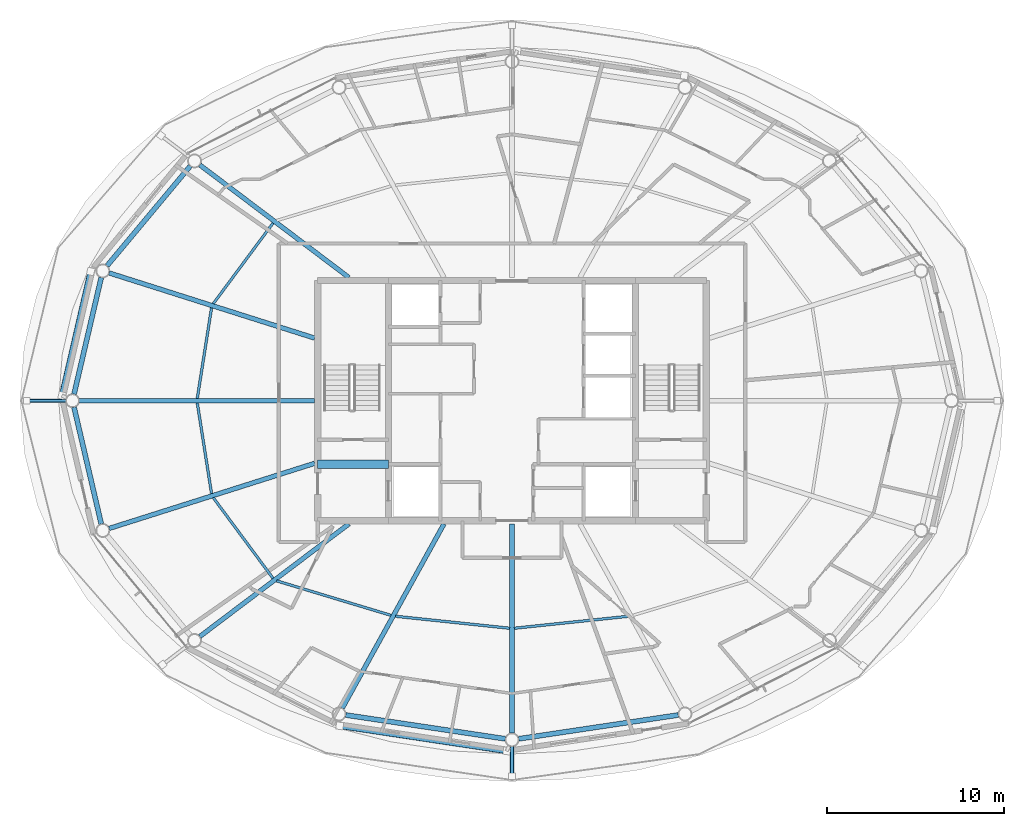
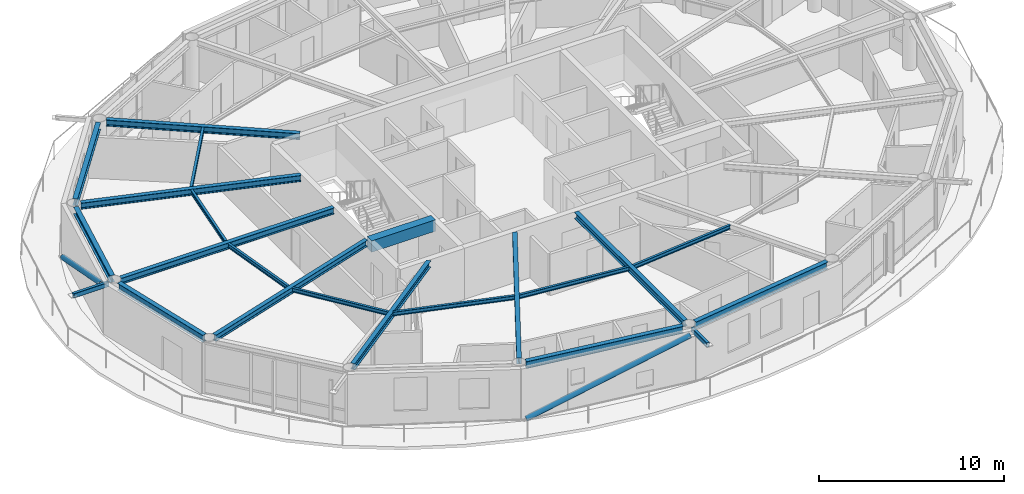
# One storey, part 4 of 23: 20 beams, 4 members.
"""IFC4 building model written with IfcOpenShell, lengths in metres."""

from ifc_helpers import new_model, si_unit, direction, frame, origin, origin_2d, place, context, subcontext, project, spatial, rectangle, hollow_rectangle, hollow_circle, i_section, extrude, material, material_profile, profile_set, type_object, element, save


model = new_model("IFC4")

# Units and contexts
model_context = context("Model", 3, precision=1e-05, world=origin(), true_north=direction((0.0, 1.0)))
body_context = subcontext(model_context, "Body", "Model", "MODEL_VIEW")
ifc_project = project(units=[si_unit("LENGTHUNIT", "METRE"), si_unit("AREAUNIT", "SQUARE_METRE"), si_unit("VOLUMEUNIT", "CUBIC_METRE"), si_unit("PLANEANGLEUNIT", "RADIAN"), si_unit("MASSUNIT", "GRAM", prefix="KILO")], contexts=[model_context])

# Site, building, storey
site_placement = place(None, origin())
site = spatial("IfcSite", under=ifc_project, at=site_placement, CompositionType="ELEMENT")
building_placement = place(site_placement, origin())
building = spatial("IfcBuilding", under=site, at=building_placement, Name="Sarneth Arch Tower", CompositionType="ELEMENT")
storey_placement = place(building_placement, frame((0.0, 0.0, 273.0)))
storey = spatial("IfcBuildingStorey", under=building, at=storey_placement, Name="L70", CompositionType="ELEMENT", Elevation=273.0)

# Beams
ifc_material_1 = material(Name="Steel S355", Category="steel")
ifc_material_profile_1 = material_profile(ifc_material_1, i_section(OverallWidth=0.14794921875, OverallDepth=0.26611328125, WebThickness=0.007568359375, FlangeThickness=0.012939453125, FilletRadius=0.012939453125, at=origin_2d()), Name="W250x44.8")
ifc_profile_set_1 = profile_set([ifc_material_profile_1], Name="Steel S355")
beam_type_1 = type_object("IfcBeamType", Name="BM-JOIST-250", PredefinedType="JOIST", material=ifc_profile_set_1)
beam_1_placement = place(storey_placement, frame((34.469482421875, 52.056396484375, 3.237060546875), z_axis=(-0.595431044136, -0.803406417499, 0.0), x_axis=(0.803406417499, -0.595431044136, 0.0)))
element("IfcBeam", 1, at=beam_1_placement, inside=storey, type_object=beam_type_1, Name="L70 Secondary floor joist 07", PredefinedType="JOIST", context=body_context, shape_type="SweptSolid", body=[
    extrude(i_section(OverallWidth=0.14794921875, OverallDepth=0.26611328125, WebThickness=0.007568359375, FlangeThickness=0.012939453125, FilletRadius=0.012939453125, at=origin_2d()), origin(), (0.0, 0.0, 1.0), 5.680419921875),
])
for number, where, z_axis, x_axis, name in (
    (2, (30.989501953125, 47.259765625, 3.237060546875), (-0.155520890899, -0.987832603478, 0.0), (0.987832603478, -0.155520890899, 0.0), "L70 Secondary floor joist 08"),
    (3, (30.181640625, 41.87158203125, 3.237060546875), (0.155520890899, -0.987832603478, 0.0), (0.987832603478, 0.155520890899, 0.0), "L70 Secondary floor joist 09"),
):
    element("IfcBeam", number, at=place(storey_placement, frame(where, z_axis=z_axis, x_axis=x_axis)), inside=storey, type_object=beam_type_1, Name=name, PredefinedType="JOIST", context=body_context, shape_type="SweptSolid", body=[
        extrude(i_section(OverallWidth=0.14794921875, OverallDepth=0.26611328125, WebThickness=0.007568359375, FlangeThickness=0.012939453125, FilletRadius=0.012939453125, at=origin_2d()), origin(), (0.0, 0.0, 1.0), 5.194580078125),
    ])
beam_2_placement = place(storey_placement, frame((31.087158203125, 36.50732421875, 3.237060546875), z_axis=(0.595431044136, -0.803406417499, 0.0), x_axis=(0.803406417499, 0.595431044136, 0.0)))
element("IfcBeam", 4, at=beam_2_placement, inside=storey, type_object=beam_type_1, Name="L70 Secondary floor joist 10", PredefinedType="JOIST", context=body_context, shape_type="SweptSolid", body=[
    extrude(i_section(OverallWidth=0.14794921875, OverallDepth=0.26611328125, WebThickness=0.007568359375, FlangeThickness=0.012939453125, FilletRadius=0.012939453125, at=origin_2d()), origin(), (0.0, 0.0, 1.0), 5.680419921875),
])
beam_3_placement = place(storey_placement, frame((34.67138671875, 31.801513671875, 3.237060546875), z_axis=(0.957373106971, -0.288854174367, 0.0), x_axis=(0.288854174367, 0.957373106971, 0.0)))
element("IfcBeam", 5, at=beam_3_placement, inside=storey, type_object=beam_type_1, Name="L70 Secondary floor joist 11", PredefinedType="JOIST", context=body_context, shape_type="SweptSolid", body=[
    extrude(i_section(OverallWidth=0.14794921875, OverallDepth=0.26611328125, WebThickness=0.007568359375, FlangeThickness=0.012939453125, FilletRadius=0.012939453125, at=origin_2d()), origin(), (0.0, 0.0, 1.0), 6.76416015625),
])
for number, where, z_axis, x_axis, name in (
    (6, (41.40087890625, 29.79638671875, 3.237060546875), (0.994526818736, -0.104481609938, 0.0), (0.104481609938, 0.994526818736, 0.0), "L70 Secondary floor joist 12"),
    (7, (48.12939453125, 29.11669921875, 3.237060546875), (0.994526818736, 0.104481609938, 0.0), (-0.104481609938, 0.994526818736, 0.0), "L70 Secondary floor joist 13"),
):
    element("IfcBeam", number, at=place(storey_placement, frame(where, z_axis=z_axis, x_axis=x_axis)), inside=storey, type_object=beam_type_1, Name=name, PredefinedType="JOIST", context=body_context, shape_type="SweptSolid", body=[
        extrude(i_section(OverallWidth=0.14794921875, OverallDepth=0.26611328125, WebThickness=0.007568359375, FlangeThickness=0.012939453125, FilletRadius=0.012939453125, at=origin_2d()), origin(), (0.0, 0.0, 1.0), 6.50537109375),
    ])
ifc_material_2 = material(Name="Concrete C50/60", Category="concrete")
ifc_material_profile_2 = material_profile(ifc_material_2, rectangle(XDim=0.5, YDim=0.75, at=origin_2d()), Name="RC-500x750")
ifc_profile_set_2 = profile_set([ifc_material_profile_2], Name="Concrete C50/60")
beam_type_2 = type_object("IfcBeamType", Name="BM-LINTEL-RC", PredefinedType="LINTEL", material=ifc_profile_set_2)
beam_4_placement = place(storey_placement, frame((37.0, 38.39990234375, 2.9951171875), z_axis=(1.0, 0.0, 0.0), x_axis=(0.0, 1.0, 0.0)))
element("IfcBeam", 8, at=beam_4_placement, inside=storey, type_object=beam_type_2, Name="L70 Core coupling lintel W", PredefinedType="LINTEL", context=body_context, shape_type="SweptSolid", body=[
    extrude(rectangle(XDim=0.5, YDim=0.75, at=origin_2d()), origin(), (0.0, 0.0, 1.0), 4.0),
])
ifc_material_3 = material(Name="Steel S355", Category="steel")
ifc_material_profile_3 = material_profile(ifc_material_3, i_section(OverallWidth=0.260009765625, OverallDepth=0.4150390625, WebThickness=0.010009765625, FlangeThickness=0.016845703125, FilletRadius=0.01611328125, at=origin_2d()), Name="W410x100")
ifc_profile_set_3 = profile_set([ifc_material_profile_3], Name="Steel S355")
beam_type_3 = type_object("IfcBeamType", Name="BM-RAD-410A", PredefinedType="BEAM", material=ifc_profile_set_3)
beam_5_placement = place(storey_placement, frame((38.76513671875, 48.97509765625, 3.16259765625), z_axis=(-0.797969745164, 0.602697507713, 0.0), x_axis=(-0.602697507713, -0.797969745164, 0.0)))
element("IfcBeam", 9, at=beam_5_placement, inside=storey, type_object=beam_type_3, Name="L70 Radial floor girder 07", PredefinedType="BEAM", context=body_context, shape_type="SweptSolid", body=[
    extrude(i_section(OverallWidth=0.260009765625, OverallDepth=0.4150390625, WebThickness=0.010009765625, FlangeThickness=0.016845703125, FilletRadius=0.01611328125, at=origin_2d()), origin(), (0.0, 0.0, 1.0), 10.572265625),
])
beam_6_placement = place(storey_placement, frame((36.824951171875, 45.5439453125, 3.16259765625), z_axis=(-0.953213623044, 0.302297517096, 0.0), x_axis=(-0.302297517096, -0.953213623044, 0.0)))
element("IfcBeam", 10, at=beam_6_placement, inside=storey, type_object=beam_type_3, Name="L70 Radial floor girder 08", PredefinedType="BEAM", context=body_context, shape_type="SweptSolid", body=[
    extrude(i_section(OverallWidth=0.260009765625, OverallDepth=0.4150390625, WebThickness=0.010009765625, FlangeThickness=0.016845703125, FilletRadius=0.01611328125, at=origin_2d()), origin(), (0.0, 0.0, 1.0), 12.201416015625),
])
beam_7_placement = place(storey_placement, frame((36.824951171875, 42.0, 3.16259765625), z_axis=(-1.0, 0.0, 0.0), x_axis=(0.0, -1.0, 0.0)))
element("IfcBeam", 11, at=beam_7_placement, inside=storey, type_object=beam_type_3, Name="L70 Radial floor girder 09", PredefinedType="BEAM", context=body_context, shape_type="SweptSolid", body=[
    extrude(i_section(OverallWidth=0.260009765625, OverallDepth=0.4150390625, WebThickness=0.010009765625, FlangeThickness=0.016845703125, FilletRadius=0.01611328125, at=origin_2d()), origin(), (0.0, 0.0, 1.0), 13.3271484375),
])
beam_8_placement = place(storey_placement, frame((36.824951171875, 38.4560546875, 3.16259765625), z_axis=(-0.953213623044, -0.302297517096, 0.0), x_axis=(0.302297517096, -0.953213623044, 0.0)))
element("IfcBeam", 12, at=beam_8_placement, inside=storey, type_object=beam_type_3, Name="L70 Radial floor girder 10", PredefinedType="BEAM", context=body_context, shape_type="SweptSolid", body=[
    extrude(i_section(OverallWidth=0.260009765625, OverallDepth=0.4150390625, WebThickness=0.010009765625, FlangeThickness=0.016845703125, FilletRadius=0.01611328125, at=origin_2d()), origin(), (0.0, 0.0, 1.0), 12.201416015625),
])
beam_9_placement = place(storey_placement, frame((38.76513671875, 35.02490234375, 3.16259765625), z_axis=(-0.797969745164, -0.602697507713, 0.0), x_axis=(0.602697507713, -0.797969745164, 0.0)))
element("IfcBeam", 13, at=beam_9_placement, inside=storey, type_object=beam_type_3, Name="L70 Radial floor girder 11", PredefinedType="BEAM", context=body_context, shape_type="SweptSolid", body=[
    extrude(i_section(OverallWidth=0.260009765625, OverallDepth=0.4150390625, WebThickness=0.010009765625, FlangeThickness=0.016845703125, FilletRadius=0.01611328125, at=origin_2d()), origin(), (0.0, 0.0, 1.0), 10.572265625),
])
beam_10_placement = place(storey_placement, frame((44.150146484375, 35.02490234375, 3.16259765625), z_axis=(-0.483231193732, -0.875492783182, 0.0), x_axis=(0.875492783182, -0.483231193732, 0.0)))
element("IfcBeam", 14, at=beam_10_placement, inside=storey, type_object=beam_type_3, Name="L70 Radial floor girder 12", PredefinedType="BEAM", context=body_context, shape_type="SweptSolid", body=[
    extrude(i_section(OverallWidth=0.260009765625, OverallDepth=0.4150390625, WebThickness=0.010009765625, FlangeThickness=0.016845703125, FilletRadius=0.01611328125, at=origin_2d()), origin(), (0.0, 0.0, 1.0), 11.913330078125),
])
beam_11_placement = place(storey_placement, frame((48.0, 35.02490234375, 3.16259765625), z_axis=(0.0, -1.0, 0.0), x_axis=(1.0, 0.0, 0.0)))
element("IfcBeam", 15, at=beam_11_placement, inside=storey, type_object=beam_type_3, Name="L70 Radial floor girder 13", PredefinedType="BEAM", context=body_context, shape_type="SweptSolid", body=[
    extrude(i_section(OverallWidth=0.260009765625, OverallDepth=0.4150390625, WebThickness=0.010009765625, FlangeThickness=0.016845703125, FilletRadius=0.01611328125, at=origin_2d()), origin(), (0.0, 0.0, 1.0), 11.843994140625),
])
ifc_material_4 = material(Name="Steel S355", Category="steel")
ifc_material_profile_4 = material_profile(ifc_material_4, i_section(OverallWidth=0.280029296875, OverallDepth=0.462890625, WebThickness=0.0107421875, FlangeThickness=0.017333984375, FilletRadius=0.01806640625, at=origin_2d()), Name="W460x113")
ifc_profile_set_4 = profile_set([ifc_material_profile_4], Name="Steel S355")
beam_type_4 = type_object("IfcBeamType", Name="BM-RAD-460A", PredefinedType="BEAM", material=ifc_profile_set_4)
beam_12_placement = place(storey_placement, frame((29.78076171875, 55.283935546875, 3.138427734375), z_axis=(-0.640377192996, -0.768060577487, 0.0), x_axis=(0.768060577487, -0.640377192996, 0.0)))
element("IfcBeam", 16, at=beam_12_placement, inside=storey, type_object=beam_type_4, Name="L70 Perimeter spandrel beam 07", PredefinedType="BEAM", context=body_context, shape_type="SweptSolid", body=[
    extrude(i_section(OverallWidth=0.280029296875, OverallDepth=0.462890625, WebThickness=0.0107421875, FlangeThickness=0.017333984375, FilletRadius=0.01806640625, at=origin_2d()), origin(), (0.0, 0.0, 1.0), 7.34814453125),
])
for number, where, z_axis, x_axis, name in (
    (17, (24.74462890625, 48.9765625, 3.138427734375), (-0.227227339933, -0.973841740729, 0.0), (0.973841740729, -0.227227339933, 0.0), "L70 Perimeter spandrel beam 08"),
    (18, (23.203369140625, 41.62890625, 3.138427734375), (0.227227339933, -0.973841740729, 0.0), (0.973841740729, 0.227227339933, 0.0), "L70 Perimeter spandrel beam 09"),
):
    element("IfcBeam", number, at=place(storey_placement, frame(where, z_axis=z_axis, x_axis=x_axis)), inside=storey, type_object=beam_type_4, Name=name, PredefinedType="BEAM", context=body_context, shape_type="SweptSolid", body=[
        extrude(i_section(OverallWidth=0.280029296875, OverallDepth=0.462890625, WebThickness=0.0107421875, FlangeThickness=0.017333984375, FilletRadius=0.01806640625, at=origin_2d()), origin(), (0.0, 0.0, 1.0), 6.782958984375),
    ])
for number, where, z_axis, x_axis, name in (
    (19, (38.5859375, 24.205322265625, 3.138427734375), (0.989040174637, -0.147646648973, 0.0), (0.147646648973, 0.989040174637, 0.0), "L70 Perimeter spandrel beam 12"),
    (20, (48.376708984375, 22.856201171875, 3.138427734375), (0.989040174637, 0.147646648973, 0.0), (-0.147646648973, 0.989040174637, 0.0), "L70 Perimeter spandrel beam 13"),
):
    element("IfcBeam", number, at=place(storey_placement, frame(where, z_axis=z_axis, x_axis=x_axis)), inside=storey, type_object=beam_type_4, Name=name, PredefinedType="BEAM", context=body_context, shape_type="SweptSolid", body=[
        extrude(i_section(OverallWidth=0.280029296875, OverallDepth=0.462890625, WebThickness=0.0107421875, FlangeThickness=0.017333984375, FilletRadius=0.01806640625, at=origin_2d()), origin(), (0.0, 0.0, 1.0), 9.137451171875),
    ])

# Members
ifc_material_5 = material(Name="Steel S355", Category="steel")
ifc_material_profile_5 = material_profile(ifc_material_5, hollow_rectangle(XDim=0.199951171875, YDim=0.300048828125, WallThickness=0.012451171875, InnerFilletRadius=0.018798828125, OuterFilletRadius=0.03125, at=origin_2d()), Name="RHS300x200x12.5")
ifc_profile_set_5 = profile_set([ifc_material_profile_5], Name="Steel S355")
member_type_1 = type_object("IfcMemberType", Name="MEM-CANT-STRUT", PredefinedType="STRUT", material=ifc_profile_set_5)
member_1_placement = place(storey_placement, frame((22.73583984375, 42.0, 3.2099609375), z_axis=(-1.0, 0.0, 0.0), x_axis=(0.0, -1.0, 0.0)))
element("IfcMember", 21, at=member_1_placement, inside=storey, type_object=member_type_1, Name="L70 Balcony cantilever bracket 09", PredefinedType="STRUT", context=body_context, shape_type="SweptSolid", body=[
    extrude(hollow_rectangle(XDim=0.199951171875, YDim=0.300048828125, WallThickness=0.012451171875, InnerFilletRadius=0.018798828125, OuterFilletRadius=0.03125, at=origin_2d()), origin(), (0.0, 0.0, 1.0), 2.213134765625),
])
member_2_placement = place(storey_placement, frame((48.0, 22.4189453125, 3.2099609375), z_axis=(0.0, -1.0, 0.0), x_axis=(1.0, 0.0, 0.0)))
element("IfcMember", 22, at=member_2_placement, inside=storey, type_object=member_type_1, Name="L70 Balcony cantilever bracket 13", PredefinedType="STRUT", context=body_context, shape_type="SweptSolid", body=[
    extrude(hollow_rectangle(XDim=0.199951171875, YDim=0.300048828125, WallThickness=0.012451171875, InnerFilletRadius=0.018798828125, OuterFilletRadius=0.03125, at=origin_2d()), origin(), (0.0, 0.0, 1.0), 1.675048828125),
])
ifc_material_6 = material(Name="Steel S355", Category="steel")
ifc_material_profile_6 = material_profile(ifc_material_6, hollow_circle(Radius=0.162109375, WallThickness=0.012451171875, at=origin_2d()), Name="CHS324x12.5")
ifc_profile_set_6 = profile_set([ifc_material_profile_6], Name="Steel S355")
member_type_2 = type_object("IfcMemberType", Name="MEM-DIAG-BR3", PredefinedType="BRACE", material=ifc_profile_set_6)
member_3_placement = place(storey_placement, frame((24.148193359375, 49.3154296875, 0.02001953125), z_axis=(-0.207343373373, -0.896265487877, 0.392067469651), x_axis=(0.974268900284, -0.225388797281, 0.0)))
element("IfcMember", 23, at=member_3_placement, inside=storey, type_object=member_type_2, Name="L70 Perimeter frame diagonal 08", PredefinedType="BRACE", context=body_context, shape_type="SweptSolid", body=[
    extrude(hollow_circle(Radius=0.162109375, WallThickness=0.012451171875, at=origin_2d()), origin(), (0.0, 0.0, 1.0), 7.836181640625),
])
member_4_placement = place(storey_placement, frame((38.245849609375, 23.588623046875, 0.02001953125), z_axis=(0.941471055877, -0.141762627625, 0.305835917372), x_axis=(0.148897148305, 0.988852688335, 0.0)))
element("IfcMember", 24, at=member_4_placement, inside=storey, type_object=member_type_2, Name="L70 Perimeter frame diagonal 12", PredefinedType="BRACE", context=body_context, shape_type="SweptSolid", body=[
    extrude(hollow_circle(Radius=0.162109375, WallThickness=0.012451171875, at=origin_2d()), origin(), (0.0, 0.0, 1.0), 10.04541015625),
])

save(model, "model.ifc")
